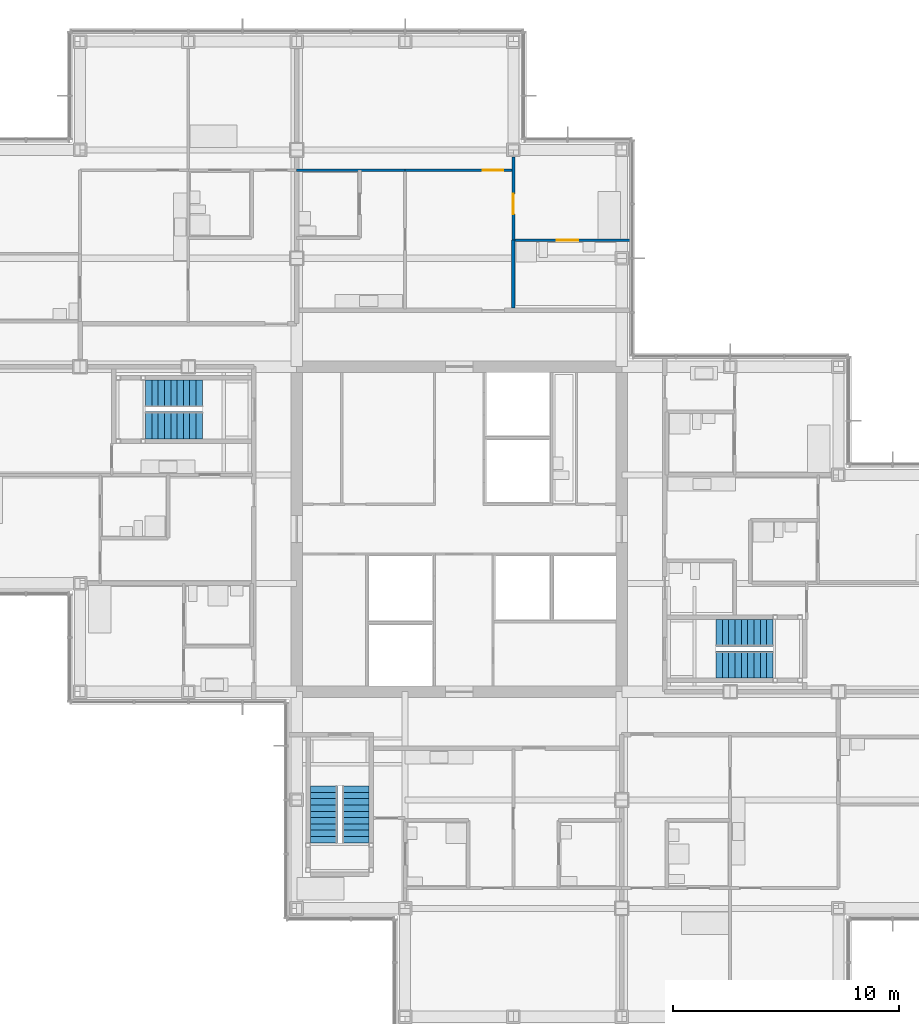
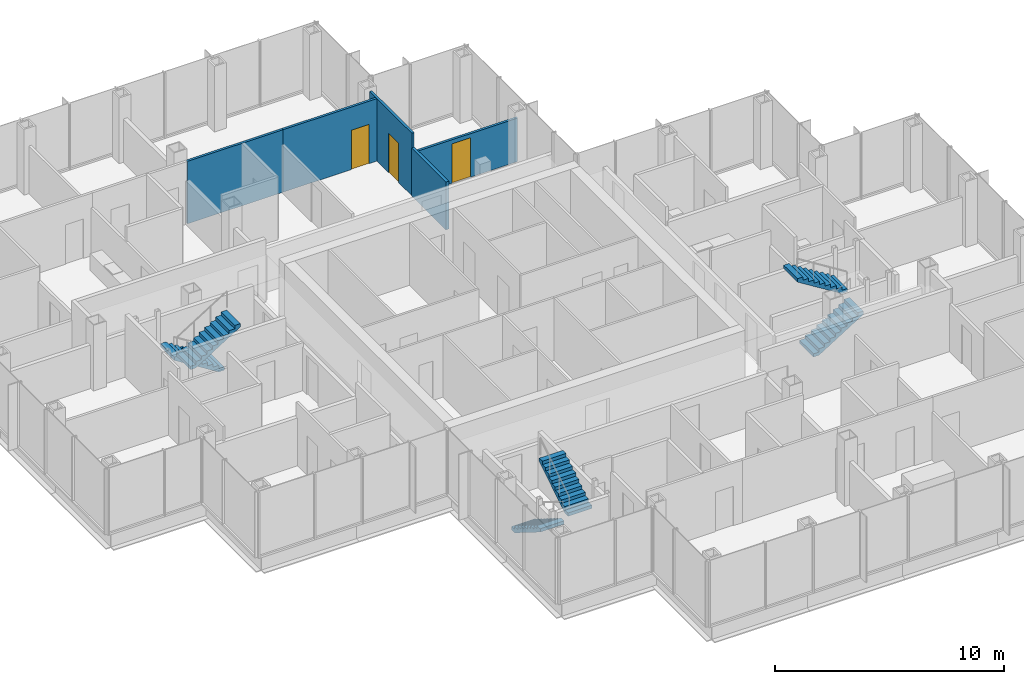
# One storey, part 17 of 20: 6 stair flights, 5 walls, 3 doors, 3 openings, 3 elements without a shape of their own.
"""IFC4 building model written with IfcOpenShell, lengths in metres."""

import ifcopenshell
import ifcopenshell.guid

model = None  # the IFC model being written
_history = None  # IfcOwnerHistory: only IFC2X3 demands one
_inside = {}  # id of a spatial element -> (the spatial element, [elements in it])
_under = {}  # id of a project, library or spatial element -> (it, [spatial elements below it])
_declared = {}  # id of a project -> (the project, [libraries it declares])
_typed = {}  # id of a type object -> (the type object, [elements of that type])
_made_of = {}  # id of a material, layer set ... -> (it, [elements and type objects made of it])


def new_model(schema):
    """Start an empty IFC model of exactly this schema.

    Asked for "IFC4X3", IfcOpenShell would pick the latest addendum, in which some entities
    have other attributes; the version numbers below select the first issue.
    IFC2X3 requires an IfcOwnerHistory on every rooted entity: one is made here for all.
    """
    global model, _history
    if schema == "IFC4X3":
        model = ifcopenshell.file(schema_version=(4, 3, 0, 0))
    else:
        model = ifcopenshell.file(schema=schema)
    _inside.clear()
    _under.clear()
    _declared.clear()
    _typed.clear()
    _made_of.clear()
    _history = None
    if model.schema == "IFC2X3":
        org = make("IfcOrganization", Name="unknown")
        user = make(
            "IfcPersonAndOrganization",
            ThePerson=make("IfcPerson", FamilyName="unknown"),
            TheOrganization=org,
        )
        app = make(
            "IfcApplication",
            ApplicationDeveloper=org,
            Version="unknown",
            ApplicationFullName="unknown",
            ApplicationIdentifier="unknown",
        )
        _history = make(
            "IfcOwnerHistory",
            OwningUser=user,
            OwningApplication=app,
            ChangeAction="ADDED",
            CreationDate=0,
        )
    return model


def make(cls, **values):
    """One entity of the class cls with the attributes given. An attribute that is None is left unset."""
    return model.create_entity(
        cls, **{name: value for name, value in values.items() if value is not None}
    )


def rooted(cls, **values):
    """An entity with a GlobalId (a new one), such as an element, a storey or a relation."""
    return make(cls, GlobalId=ifcopenshell.guid.new(), OwnerHistory=_history, **values)


def si_unit(unit_type, name, prefix=None):
    """IfcSIUnit, for example si_unit("LENGTHUNIT", "METRE", prefix="MILLI")."""
    return make("IfcSIUnit", UnitType=unit_type, Prefix=prefix, Name=name)


def assignment(units):
    """IfcUnitAssignment: the units of a project."""
    return None if units is None else make("IfcUnitAssignment", Units=units)


def point(xyz):
    """IfcCartesianPoint."""
    return None if xyz is None else make("IfcCartesianPoint", Coordinates=xyz)


def direction(xyz):
    """IfcDirection."""
    return None if xyz is None else make("IfcDirection", DirectionRatios=xyz)


def frame(location, z_axis=None, x_axis=None):
    """IfcAxis2Placement3D, a coordinate frame: its origin and axes. An axis left out is left unset."""
    return make(
        "IfcAxis2Placement3D",
        Location=point(location),
        Axis=direction(z_axis),
        RefDirection=direction(x_axis),
    )


def frame_2d(location, x_axis=None):
    """IfcAxis2Placement2D, a coordinate frame in the plane: its origin and x axis."""
    return make(
        "IfcAxis2Placement2D", Location=point(location), RefDirection=direction(x_axis)
    )


def origin():
    """The frame at (0, 0, 0) with its axes left unset."""
    return frame((0.0, 0.0, 0.0))


def place(relative_to, where):
    """IfcLocalPlacement: puts the frame where relative to a parent placement (None: the world)."""
    return make(
        "IfcLocalPlacement", PlacementRelTo=relative_to, RelativePlacement=where
    )


def context(
    kind, dimensions, precision=None, world=None, true_north=None, identifier=None
):
    """IfcGeometricRepresentationContext, for example the 3D "Model" context."""
    return make(
        "IfcGeometricRepresentationContext",
        ContextIdentifier=identifier,
        ContextType=kind,
        CoordinateSpaceDimension=dimensions,
        Precision=precision,
        WorldCoordinateSystem=world,
        TrueNorth=true_north,
    )


def subcontext(parent, identifier, kind, view, scale=None):
    """IfcGeometricRepresentationSubContext, for example "Body" below "Model"."""
    return make(
        "IfcGeometricRepresentationSubContext",
        ContextIdentifier=identifier,
        ContextType=kind,
        ParentContext=parent,
        TargetScale=scale,
        TargetView=view,
    )


def project(units=None, contexts=None):
    """IfcProject with its units and contexts."""
    return rooted(
        "IfcProject",
        Name="project",
        RepresentationContexts=contexts,
        UnitsInContext=assignment(units),
    )


def spatial(cls, under=None, at=None, **own):
    """A site, building, storey or space (cls), placed at a placement, below another one or the project."""
    s = rooted(cls, ObjectPlacement=at, **own)
    if under is not None:
        _under.setdefault(under.id(), (under, []))[1].append(s)
    return s


def polyline(points):
    """IfcPolyline through the points."""
    return make("IfcPolyline", Points=[point(p) for p in points])


def profile(cls, at=None, kind="AREA", **sizes):
    """A parametric profile (cls). Its sizes go by their IFC names, for example OverallWidth=200.0."""
    return make(cls, ProfileType=kind, Position=at, **sizes)


def rectangle(**sizes):
    """IfcRectangleProfileDef."""
    return profile("IfcRectangleProfileDef", **sizes)


def outline(outer, holes=None, kind="AREA"):
    """IfcArbitraryClosedProfileDef: a profile drawn as a closed curve; with holes, ...WithVoids."""
    if holes is None:
        return make("IfcArbitraryClosedProfileDef", ProfileType=kind, OuterCurve=outer)
    return make(
        "IfcArbitraryProfileDefWithVoids",
        ProfileType=kind,
        OuterCurve=outer,
        InnerCurves=holes,
    )


def extrude(swept, where, along, depth):
    """IfcExtrudedAreaSolid: the profile swept, set in the frame where, extruded along a direction by depth."""
    return make(
        "IfcExtrudedAreaSolid",
        SweptArea=swept,
        Position=where,
        ExtrudedDirection=direction(along),
        Depth=depth,
    )


def shape(context_of_items, identifier, shape_type, items):
    """IfcShapeRepresentation: the items that make up one representation, for example the "Body"."""
    return make(
        "IfcShapeRepresentation",
        ContextOfItems=context_of_items,
        RepresentationIdentifier=identifier,
        RepresentationType=shape_type,
        Items=items,
    )


def material(Name=None, Category=None):
    """IfcMaterial."""
    return make("IfcMaterial", Name=Name, Category=Category)


def layer(
    of_material, thickness, ventilated=None, Name=None, Category=None, Priority=None
):
    """IfcMaterialLayer: one layer of a wall or slab, of a material (None: an air gap)."""
    return make(
        "IfcMaterialLayer",
        Material=of_material,
        LayerThickness=thickness,
        IsVentilated=ventilated,
        Name=Name,
        Category=Category,
        Priority=Priority,
    )


def layer_set(layers, Name=None):
    """IfcMaterialLayerSet."""
    return make("IfcMaterialLayerSet", MaterialLayers=layers, LayerSetName=Name)


def made_of(thing, what):
    """Note that an element or type object is made of a material, layer set ...; save() writes the relation."""
    if what is not None:
        _made_of.setdefault(what.id(), (what, []))[1].append(thing)
    return thing


def type_object(cls, material=None, **own):
    """A type object (cls), such as IfcWallType, which elements share."""
    return made_of(rooted(cls, **own), material)


def element(
    cls,
    number,
    at=None,
    inside=None,
    cuts=None,
    type_object=None,
    material=None,
    context=None,
    identifier="Body",
    shape_type=None,
    held_by="IfcProductDefinitionShape",
    body=None,
    shapes=None,
    **own,
):
    """One element of the class cls, such as IfcWall. Its Tag is "e" and its number.

    at: its placement. inside: the storey or other place that contains it. cuts: it is an
    opening in that element (IfcRelVoidsElement). A single representation is given by context,
    identifier, shape_type and body (its items); several are given by shapes. held_by: the class
    of the entity that holds the representations. save() writes the other relations.
    """
    e = rooted(cls, Tag="e%d" % number, ObjectPlacement=at, **own)
    if body is not None:
        shapes = [shape(context, identifier, shape_type, body)]
    if shapes is not None:
        e.Representation = make(held_by, Representations=shapes)
    if inside is not None:
        _inside.setdefault(inside.id(), (inside, []))[1].append(e)
    if cuts is not None:
        rooted(
            "IfcRelVoidsElement", RelatingBuildingElement=cuts, RelatedOpeningElement=e
        )
    if type_object is not None:
        _typed.setdefault(type_object.id(), (type_object, []))[1].append(e)
    return made_of(e, material)


def fill(opening, filler):
    """IfcRelFillsElement: the door or window that sits in an opening."""
    return rooted(
        "IfcRelFillsElement",
        RelatingOpeningElement=opening,
        RelatedBuildingElement=filler,
    )


def aggregate(whole, parts):
    """IfcRelAggregates: a whole, such as a stair, and the parts it consists of."""
    return rooted("IfcRelAggregates", RelatingObject=whole, RelatedObjects=parts)


def save(model, path):
    """Write the relations noted so far, then the file.

    IfcRelAggregates (storeys below a building ...), IfcRelContainedInSpatialStructure (elements
    in a storey), IfcRelDefinesByType, IfcRelAssociatesMaterial and IfcRelDeclares: one each for
    every whole, place, type object, material and project.
    """
    for whole, parts in _under.values():
        aggregate(whole, parts)
    for where, things in _inside.values():
        rooted(
            "IfcRelContainedInSpatialStructure",
            RelatedElements=things,
            RelatingStructure=where,
        )
    for kind, things in _typed.values():
        rooted("IfcRelDefinesByType", RelatedObjects=things, RelatingType=kind)
    for what, things in _made_of.values():
        rooted("IfcRelAssociatesMaterial", RelatedObjects=things, RelatingMaterial=what)
    for by, libraries in _declared.values():
        rooted("IfcRelDeclares", RelatingContext=by, RelatedDefinitions=libraries)
    model.write(path)


model = new_model("IFC4")

# Units and contexts
model_context = context("Model", 3, precision=1e-05, world=origin(), true_north=direction((0.0, 1.0)))
body_context = subcontext(model_context, "Body", "Model", "MODEL_VIEW")
ifc_project = project(units=[si_unit("LENGTHUNIT", "METRE"), si_unit("AREAUNIT", "SQUARE_METRE"), si_unit("VOLUMEUNIT", "CUBIC_METRE"), si_unit("PLANEANGLEUNIT", "RADIAN"), si_unit("MASSUNIT", "GRAM", prefix="KILO")], contexts=[model_context])

# Site, building, storey
site_placement = place(None, origin())
site = spatial("IfcSite", under=ifc_project, at=site_placement, CompositionType="ELEMENT")
building_placement = place(site_placement, origin())
building = spatial("IfcBuilding", under=site, at=building_placement, Name="Kvirike Care Tower", CompositionType="ELEMENT")
storey_placement = place(building_placement, frame((0.0, 0.0, 126.0)))
storey = spatial("IfcBuildingStorey", under=building, at=storey_placement, Name="L34", CompositionType="ELEMENT", Elevation=126.0)

# Wall
ifc_material_1 = material(Name="Moisture-resistant board partition", Category="gypsum")
ifc_layer_1 = layer(ifc_material_1, 0.14990234375)
ifc_layer_set_1 = layer_set([ifc_layer_1], Name="BATHROOM WALL 150")
wall_type_1 = type_object("IfcWallType", Name="BATHROOM WALL 150", PredefinedType="PARTITIONING", material=ifc_layer_set_1)
wall_1_placement = place(storey_placement, frame((24.0, 48.800048828125, 0.0), z_axis=(0.0, 0.0, 1.0), x_axis=(0.0, -1.0, 0.0)))
element("IfcWall", 1, at=wall_1_placement, inside=storey, type_object=wall_type_1, Name="Bathroom Wall 150 L34", PredefinedType="PARTITIONING", context=body_context, shape_type="SweptSolid", body=[
    extrude(rectangle(XDim=3.0, YDim=0.14990234375, at=frame_2d((1.5, 0.0))), origin(), (0.0, 0.0, 1.0), 2.550048828125),
])

# Wall, opening, door
ifc_material_2 = material(Name="Plasterboard partition", Category="gypsum")
ifc_layer_2 = layer(ifc_material_2, 0.1201171875)
ifc_layer_set_2 = layer_set([ifc_layer_2], Name="PARTITION 120")
wall_type_2 = type_object("IfcWallType", Name="PARTITION 120", PredefinedType="PARTITIONING", material=ifc_layer_set_2)
wall_2_placement = place(storey_placement, frame((29.239990234375, 48.800048828125, 0.0), z_axis=(0.0, 0.0, 1.0), x_axis=(-1.0, 0.0, 0.0)))
wall_2 = element("IfcWall", 2, at=wall_2_placement, inside=storey, type_object=wall_type_2, Name="Partition 120 L34", PredefinedType="PARTITIONING", context=body_context, shape_type="SweptSolid", body=[
    extrude(rectangle(XDim=5.239990234375, YDim=0.1201171875, at=frame_2d((2.6201171875, 0.0))), origin(), (0.0, 0.0, 1.0), 2.320068359375),
])
opening_1_placement = place(wall_2_placement, frame((2.364990234375, 0.0, 0.0)))
opening_1 = element("IfcOpeningElement", 3, at=opening_1_placement, cuts=wall_2, Name="Opening 34-025", PredefinedType="OPENING", context=body_context, shape_type="SweptSolid", body=[
    extrude(rectangle(XDim=0.949951171875, YDim=2.10009765625, at=frame_2d((0.47509765625, 1.050048828125))), frame((0.0, 0.070556640625, 0.0), z_axis=(0.0, -1.0, 0.0), x_axis=(1.0, 0.0, 0.0)), (0.0, 0.0, 1.0), 0.14111328125),
])
ifc_material_3 = material(Name="Timber door set", Category="wood")
door_type_1 = type_object("IfcDoorType", Name="EN-SUITE SLIDING DOOR 950", OperationType="SLIDING_TO_LEFT", PredefinedType="DOOR", material=ifc_material_3)
door_1_placement = place(opening_1_placement, origin())
door_1 = element("IfcDoor", 4, at=door_1_placement, inside=storey, type_object=door_type_1, Name="En-suite door", OperationType="SLIDING_TO_LEFT", OverallHeight=2.10009765625, OverallWidth=0.949951171875, PredefinedType="DOOR", context=body_context, shape_type="SweptSolid", body=[
    extrude(rectangle(XDim=0.949951171875, YDim=2.10009765625, at=frame_2d((0.47509765625, 1.050048828125))), frame((0.0, 0.02197265625, 0.0), z_axis=(0.0, -1.0, 0.0), x_axis=(1.0, 0.0, 0.0)), (0.0, 0.0, 1.0), 0.0439453125),
])
fill(opening_1, door_1)

wall_3_placement = place(storey_placement, frame((24.0, 51.89990234375, 0.0), z_axis=(0.0, 0.0, 1.0), x_axis=(-1.0, 0.0, 0.0)))
wall_3 = element("IfcWall", 5, at=wall_3_placement, inside=storey, type_object=wall_type_2, Name="Partition 120 L34", PredefinedType="PARTITIONING", context=body_context, shape_type="SweptSolid", body=[
    extrude(rectangle(XDim=4.800048828125, YDim=0.1201171875, at=frame_2d((2.39990234375, 0.0))), origin(), (0.0, 0.0, 1.0), 3.330078125),
])
opening_2_placement = place(wall_3_placement, frame((0.449951171875, 0.0, 0.0)))
opening_2 = element("IfcOpeningElement", 6, at=opening_2_placement, cuts=wall_3, Name="Opening 34-026", PredefinedType="OPENING", context=body_context, shape_type="SweptSolid", body=[
    extrude(rectangle(XDim=0.89990234375, YDim=2.10009765625, at=frame_2d((0.449951171875, 1.050048828125))), frame((0.0, 0.070556640625, 0.0), z_axis=(0.0, -1.0, 0.0), x_axis=(1.0, 0.0, 0.0)), (0.0, 0.0, 1.0), 0.14111328125),
])
ifc_material_4 = material(Name="Timber door set", Category="wood")
door_type_2 = type_object("IfcDoorType", Name="INTERNAL DOOR 900", OperationType="SINGLE_SWING_LEFT", PredefinedType="DOOR", material=ifc_material_4)
door_2_placement = place(opening_2_placement, origin())
door_2 = element("IfcDoor", 7, at=door_2_placement, inside=storey, type_object=door_type_2, Name="Suite sitting room door", OperationType="SINGLE_SWING_RIGHT", OverallHeight=2.10009765625, OverallWidth=0.89990234375, PredefinedType="DOOR", context=body_context, shape_type="SweptSolid", body=[
    extrude(rectangle(XDim=0.89990234375, YDim=2.10009765625, at=frame_2d((0.449951171875, 1.050048828125))), frame((0.0, 0.02197265625, 0.0), z_axis=(0.0, -1.0, 0.0), x_axis=(1.0, 0.0, 0.0)), (0.0, 0.0, 1.0), 0.0439453125),
])
fill(opening_2, door_2)

# Wall
wall_4_placement = place(storey_placement, frame((19.199951171875, 51.89990234375, 0.0), z_axis=(0.0, 0.0, 1.0), x_axis=(-1.0, 0.0, 0.0)))
element("IfcWall", 8, at=wall_4_placement, inside=storey, type_object=wall_type_2, Name="Partition 120 L34", PredefinedType="PARTITIONING", context=body_context, shape_type="SweptSolid", body=[
    extrude(rectangle(XDim=4.800048828125, YDim=0.1201171875, at=frame_2d((2.39990234375, 0.0))), origin(), (0.0, 0.0, 1.0), 3.330078125),
])

# Wall, opening, door
wall_5_placement = place(storey_placement, frame((24.0, 52.47998046875, 0.0), z_axis=(0.0, 0.0, 1.0), x_axis=(0.0, -1.0, 0.0)))
wall_5 = element("IfcWall", 9, at=wall_5_placement, inside=storey, type_object=wall_type_2, Name="Partition 120 L34", PredefinedType="PARTITIONING", context=body_context, shape_type="SweptSolid", body=[
    extrude(rectangle(XDim=3.679931640625, YDim=0.1201171875, at=frame_2d((1.83984375, 0.0))), origin(), (0.0, 0.0, 1.0), 3.330078125),
])
opening_3_placement = place(wall_5_placement, frame((1.6298828125, 0.0, 0.0)))
opening_3 = element("IfcOpeningElement", 10, at=opening_3_placement, cuts=wall_5, Name="Opening 34-027", PredefinedType="OPENING", context=body_context, shape_type="SweptSolid", body=[
    extrude(rectangle(XDim=0.89990234375, YDim=2.10009765625, at=frame_2d((0.449951171875, 1.050048828125))), frame((0.0, 0.070556640625, 0.0), z_axis=(0.0, -1.0, 0.0), x_axis=(1.0, 0.0, 0.0)), (0.0, 0.0, 1.0), 0.14111328125),
])
door_3_placement = place(opening_3_placement, origin())
door_3 = element("IfcDoor", 11, at=door_3_placement, inside=storey, type_object=door_type_2, Name="Connecting door", OperationType="SINGLE_SWING_LEFT", OverallHeight=2.10009765625, OverallWidth=0.89990234375, PredefinedType="DOOR", context=body_context, shape_type="SweptSolid", body=[
    extrude(rectangle(XDim=0.89990234375, YDim=2.10009765625, at=frame_2d((0.449951171875, 1.050048828125))), frame((0.0, 0.02197265625, 0.0), z_axis=(0.0, -1.0, 0.0), x_axis=(1.0, 0.0, 0.0)), (0.0, 0.0, 1.0), 0.0439453125),
])
fill(opening_3, door_3)

# Stair, stair flights
ifc_material_5 = material(Name="Concrete C35/45", Category="concrete")
stair_type = type_object("IfcStairType", Name="STAIR 20 RISERS", PredefinedType="HALF_TURN_STAIR", material=ifc_material_5)
stair_1_placement = place(storey_placement, origin())
stair_1 = element("IfcStair", 12, at=stair_1_placement, inside=storey, type_object=stair_type, Name="Stair 1 L34", PredefinedType="HALF_TURN_STAIR")
ifc_material_6 = material(Name="Concrete C35/45", Category="concrete")
stair_flight_type = type_object("IfcStairFlightType", Name="FLIGHT 10 RISERS", PredefinedType="STRAIGHT", material=ifc_material_6)
stair_flight_1_placement = place(storey_placement, frame((10.219970703125, 42.0, 0.0), z_axis=(0.0, 0.0, 1.0), x_axis=(-1.0, 0.0, 0.0)))
stair_flight_1 = element("IfcStairFlight", 13, at=stair_flight_1_placement, type_object=stair_flight_type, Name="Stair S1 flight 1 L34-L35", NumberOfRisers=10, NumberOfTreads=9, PredefinedType="STRAIGHT", RiserHeight=0.175, TreadLength=0.28, context=body_context, shape_type="SweptSolid", body=[
    extrude(outline(polyline([(0.0, 0.0), (0.0, 0.175048828125), (0.280029296875, 0.175048828125), (0.280029296875, 0.35009765625), (0.56005859375, 0.35009765625), (0.56005859375, 0.52490234375), (0.840087890625, 0.52490234375), (0.840087890625, 0.699951171875), (1.1201171875, 0.699951171875), (1.1201171875, 0.875), (1.39990234375, 0.875), (1.39990234375, 1.050048828125), (1.679931640625, 1.050048828125), (1.679931640625, 1.22509765625), (1.9599609375, 1.22509765625), (1.9599609375, 1.39990234375), (2.239990234375, 1.39990234375), (2.239990234375, 1.574951171875), (2.52001953125, 1.574951171875), (2.52001953125, 1.75), (2.52001953125, 1.398193359375), (0.28271484375, 0.0), (0.0, 0.0)])), frame((0.0, 0.60009765625, 0.0), z_axis=(0.0, -1.0, 0.0), x_axis=(1.0, 0.0, 0.0)), (0.0, 0.0, 1.0), 1.199951171875),
])
stair_flight_2_placement = place(storey_placement, frame((7.699951171875, 40.60009765625, 1.75), z_axis=(0.0, 0.0, 1.0), x_axis=(1.0, 0.0, 0.0)))
stair_flight_2 = element("IfcStairFlight", 14, at=stair_flight_2_placement, type_object=stair_flight_type, Name="Stair S1 flight 2 L34-L35", NumberOfRisers=10, NumberOfTreads=9, PredefinedType="STRAIGHT", RiserHeight=0.175, TreadLength=0.28, context=body_context, shape_type="SweptSolid", body=[
    extrude(outline(polyline([(0.0, 0.0), (0.0, 0.175048828125), (0.280029296875, 0.175048828125), (0.280029296875, 0.35009765625), (0.56005859375, 0.35009765625), (0.56005859375, 0.52490234375), (0.840087890625, 0.52490234375), (0.840087890625, 0.699951171875), (1.1201171875, 0.699951171875), (1.1201171875, 0.875), (1.39990234375, 0.875), (1.39990234375, 1.050048828125), (1.679931640625, 1.050048828125), (1.679931640625, 1.22509765625), (1.9599609375, 1.22509765625), (1.9599609375, 1.39990234375), (2.239990234375, 1.39990234375), (2.239990234375, 1.574951171875), (2.52001953125, 1.574951171875), (2.52001953125, 1.75), (2.52001953125, 1.398193359375), (0.28271484375, 0.0), (0.0, 0.0)])), frame((0.0, 0.60009765625, 0.0), z_axis=(0.0, -1.0, 0.0), x_axis=(1.0, 0.0, 0.0)), (0.0, 0.0, 1.0), 1.199951171875),
])
aggregate(stair_1, [stair_flight_1, stair_flight_2])

stair_2_placement = place(storey_placement, origin())
stair_2 = element("IfcStair", 15, at=stair_2_placement, inside=storey, type_object=stair_type, Name="Stair 2 L34", PredefinedType="HALF_TURN_STAIR")
stair_flight_3_placement = place(storey_placement, frame((32.97998046875, 30.0, 0.0), z_axis=(0.0, 0.0, 1.0), x_axis=(1.0, 0.0, 0.0)))
stair_flight_3 = element("IfcStairFlight", 16, at=stair_flight_3_placement, type_object=stair_flight_type, Name="Stair S2 flight 1 L34-L35", NumberOfRisers=10, NumberOfTreads=9, PredefinedType="STRAIGHT", RiserHeight=0.175, TreadLength=0.28, context=body_context, shape_type="SweptSolid", body=[
    extrude(outline(polyline([(0.0, 0.0), (0.0, 0.175048828125), (0.280029296875, 0.175048828125), (0.280029296875, 0.35009765625), (0.56005859375, 0.35009765625), (0.56005859375, 0.52490234375), (0.840087890625, 0.52490234375), (0.840087890625, 0.699951171875), (1.1201171875, 0.699951171875), (1.1201171875, 0.875), (1.39990234375, 0.875), (1.39990234375, 1.050048828125), (1.679931640625, 1.050048828125), (1.679931640625, 1.22509765625), (1.9599609375, 1.22509765625), (1.9599609375, 1.39990234375), (2.239990234375, 1.39990234375), (2.239990234375, 1.574951171875), (2.52001953125, 1.574951171875), (2.52001953125, 1.75), (2.52001953125, 1.398193359375), (0.28271484375, 0.0), (0.0, 0.0)])), frame((0.0, 0.60009765625, 0.0), z_axis=(0.0, -1.0, 0.0), x_axis=(1.0, 0.0, 0.0)), (0.0, 0.0, 1.0), 1.199951171875),
])
stair_flight_4_placement = place(storey_placement, frame((35.5, 31.39990234375, 1.75), z_axis=(0.0, 0.0, 1.0), x_axis=(-1.0, 0.0, 0.0)))
stair_flight_4 = element("IfcStairFlight", 17, at=stair_flight_4_placement, type_object=stair_flight_type, Name="Stair S2 flight 2 L34-L35", NumberOfRisers=10, NumberOfTreads=9, PredefinedType="STRAIGHT", RiserHeight=0.175, TreadLength=0.28, context=body_context, shape_type="SweptSolid", body=[
    extrude(outline(polyline([(0.0, 0.0), (0.0, 0.175048828125), (0.280029296875, 0.175048828125), (0.280029296875, 0.35009765625), (0.56005859375, 0.35009765625), (0.56005859375, 0.52490234375), (0.840087890625, 0.52490234375), (0.840087890625, 0.699951171875), (1.1201171875, 0.699951171875), (1.1201171875, 0.875), (1.39990234375, 0.875), (1.39990234375, 1.050048828125), (1.679931640625, 1.050048828125), (1.679931640625, 1.22509765625), (1.9599609375, 1.22509765625), (1.9599609375, 1.39990234375), (2.239990234375, 1.39990234375), (2.239990234375, 1.574951171875), (2.52001953125, 1.574951171875), (2.52001953125, 1.75), (2.52001953125, 1.398193359375), (0.28271484375, 0.0), (0.0, 0.0)])), frame((0.0, 0.60009765625, 0.0), z_axis=(0.0, -1.0, 0.0), x_axis=(1.0, 0.0, 0.0)), (0.0, 0.0, 1.0), 1.199951171875),
])
aggregate(stair_2, [stair_flight_3, stair_flight_4])

stair_3_placement = place(storey_placement, origin())
stair_3 = element("IfcStair", 18, at=stair_3_placement, inside=storey, type_object=stair_type, Name="Stair 5 L34", PredefinedType="HALF_TURN_STAIR")
stair_flight_5_placement = place(storey_placement, frame((15.60009765625, 24.6201171875, 0.0), z_axis=(0.0, 0.0, 1.0), x_axis=(0.0, -1.0, 0.0)))
stair_flight_5 = element("IfcStairFlight", 19, at=stair_flight_5_placement, type_object=stair_flight_type, Name="Stair S5 flight 1 L34-L35", NumberOfRisers=10, NumberOfTreads=9, PredefinedType="STRAIGHT", RiserHeight=0.175, TreadLength=0.28, context=body_context, shape_type="SweptSolid", body=[
    extrude(outline(polyline([(0.0, 0.0), (0.0, 0.175048828125), (0.280029296875, 0.175048828125), (0.280029296875, 0.35009765625), (0.56005859375, 0.35009765625), (0.56005859375, 0.52490234375), (0.840087890625, 0.52490234375), (0.840087890625, 0.699951171875), (1.1201171875, 0.699951171875), (1.1201171875, 0.875), (1.39990234375, 0.875), (1.39990234375, 1.050048828125), (1.679931640625, 1.050048828125), (1.679931640625, 1.22509765625), (1.9599609375, 1.22509765625), (1.9599609375, 1.39990234375), (2.239990234375, 1.39990234375), (2.239990234375, 1.574951171875), (2.52001953125, 1.574951171875), (2.52001953125, 1.75), (2.52001953125, 1.398193359375), (0.28271484375, 0.0), (0.0, 0.0)])), frame((0.0, 0.60009765625, 0.0), z_axis=(0.0, -1.0, 0.0), x_axis=(1.0, 0.0, 0.0)), (0.0, 0.0, 1.0), 1.199951171875),
])
stair_flight_6_placement = place(storey_placement, frame((17.0, 22.10009765625, 1.75), z_axis=(0.0, 0.0, 1.0), x_axis=(0.0, 1.0, 0.0)))
stair_flight_6 = element("IfcStairFlight", 20, at=stair_flight_6_placement, type_object=stair_flight_type, Name="Stair S5 flight 2 L34-L35", NumberOfRisers=10, NumberOfTreads=9, PredefinedType="STRAIGHT", RiserHeight=0.175, TreadLength=0.28, context=body_context, shape_type="SweptSolid", body=[
    extrude(outline(polyline([(0.0, 0.0), (0.0, 0.175048828125), (0.280029296875, 0.175048828125), (0.280029296875, 0.35009765625), (0.56005859375, 0.35009765625), (0.56005859375, 0.52490234375), (0.840087890625, 0.52490234375), (0.840087890625, 0.699951171875), (1.1201171875, 0.699951171875), (1.1201171875, 0.875), (1.39990234375, 0.875), (1.39990234375, 1.050048828125), (1.679931640625, 1.050048828125), (1.679931640625, 1.22509765625), (1.9599609375, 1.22509765625), (1.9599609375, 1.39990234375), (2.239990234375, 1.39990234375), (2.239990234375, 1.574951171875), (2.52001953125, 1.574951171875), (2.52001953125, 1.75), (2.52001953125, 1.398193359375), (0.28271484375, 0.0), (0.0, 0.0)])), frame((0.0, 0.60009765625, 0.0), z_axis=(0.0, -1.0, 0.0), x_axis=(1.0, 0.0, 0.0)), (0.0, 0.0, 1.0), 1.199951171875),
])
aggregate(stair_3, [stair_flight_5, stair_flight_6])

save(model, "model.ifc")
